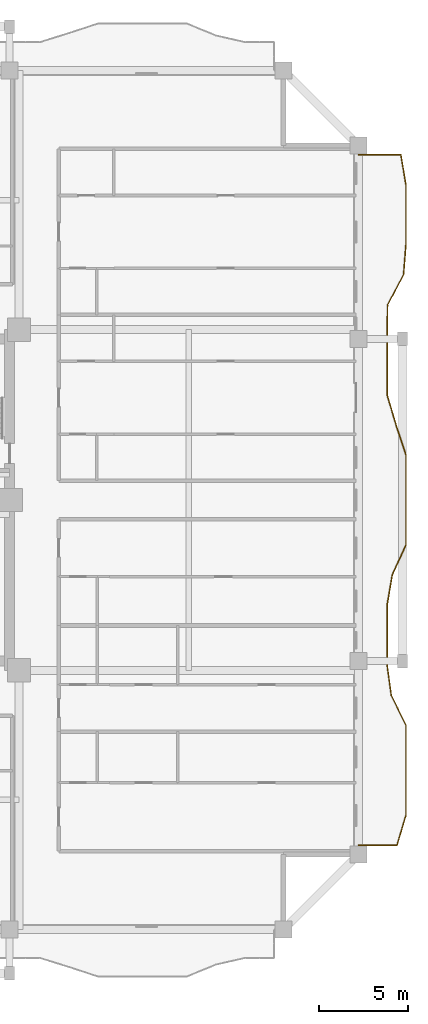
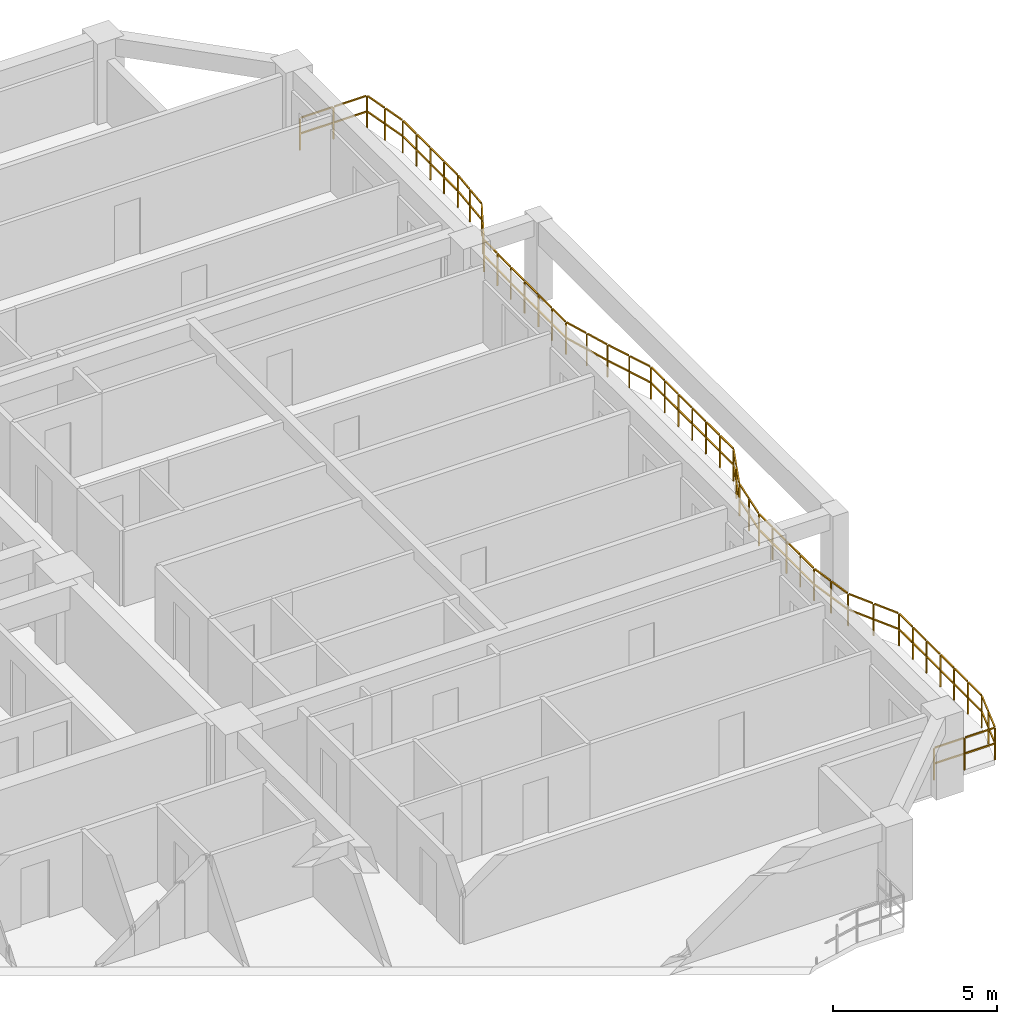
# One storey, part 13 of 14: 1 railing.
"""IFC4 building model written with IfcOpenShell, lengths in metres."""

from ifc_helpers import new_model, si_unit, direction, frame, origin, origin_2d, place, context, subcontext, project, spatial, rectangle, extrude, material, type_object, element, save


model = new_model("IFC4")

# Units and contexts
model_context = context("Model", 3, precision=1e-05, world=origin(), true_north=direction((0.0, 1.0)))
body_context = subcontext(model_context, "Body", "Model", "MODEL_VIEW")
ifc_project = project(units=[si_unit("LENGTHUNIT", "METRE"), si_unit("AREAUNIT", "SQUARE_METRE"), si_unit("VOLUMEUNIT", "CUBIC_METRE"), si_unit("PLANEANGLEUNIT", "RADIAN"), si_unit("MASSUNIT", "GRAM", prefix="KILO")], contexts=[model_context])

# Site, building, storey
site_placement = place(None, origin())
site = spatial("IfcSite", under=ifc_project, at=site_placement, CompositionType="ELEMENT")
building_placement = place(site_placement, origin())
building = spatial("IfcBuilding", under=site, at=building_placement, Name="Saelheon Loggia Tower", CompositionType="ELEMENT")
storey_placement = place(building_placement, frame((0.0, 0.0, 113.85009765625)))
storey = spatial("IfcBuildingStorey", under=building, at=storey_placement, Name="L36", CompositionType="ELEMENT", Elevation=113.85009765625)

# Railing
ifc_material = material(Name="Architectural Precast Concrete and Laminated Glass Guard", Category="concrete")
railing_type = type_object("IfcRailingType", Name="Guard_Loggia_RL_LOG", PredefinedType="BALUSTRADE", material=ifc_material)
railing_placement = place(storey_placement, frame((64.0, 7.699951171875, 0.0)))
element("IfcRailing", 1, at=railing_placement, inside=storey, type_object=railing_type, Name="L36 East Loggia Balustrade", PredefinedType="BALUSTRADE", context=body_context, shape_type="SweptSolid", body=[
    extrude(rectangle(XDim=0.048095703125, YDim=0.048095703125, at=origin_2d()), frame((0.033203125, 0.0, 1.19580078125), z_axis=(1.0, 0.0, 0.0), x_axis=(0.0, 1.0, 0.0)), (0.0, 0.0, 1.0), 1.008544921875),
    extrude(rectangle(XDim=0.048095703125, YDim=0.048095703125, at=origin_2d()), frame((0.033203125, 0.0, 0.60986328125), z_axis=(1.0, 0.0, 0.0), x_axis=(0.0, 1.0, 0.0)), (0.0, 0.0, 1.0), 1.008544921875),
    extrude(rectangle(XDim=0.048095703125, YDim=0.048095703125, at=origin_2d()), frame((1.108154296875, 0.0, 1.19580078125), z_axis=(1.0, 0.0, 0.0), x_axis=(0.0, 1.0, 0.0)), (0.0, 0.0, 1.0), 1.008544921875),
    extrude(rectangle(XDim=0.048095703125, YDim=0.048095703125, at=origin_2d()), frame((1.108154296875, 0.0, 0.60986328125), z_axis=(1.0, 0.0, 0.0), x_axis=(0.0, 1.0, 0.0)), (0.0, 0.0, 1.0), 1.008544921875),
    extrude(rectangle(XDim=0.048095703125, YDim=0.048095703125, at=origin_2d()), frame((2.159423828125, 0.03173828125, 1.19580078125), z_axis=(0.285492932105, 0.958380814561, 0.0), x_axis=(-0.958380814561, 0.285492932105, 0.0)), (0.0, 0.0, 1.0), 0.809326171875),
    extrude(rectangle(XDim=0.048095703125, YDim=0.048095703125, at=origin_2d()), frame((2.159423828125, 0.03173828125, 0.60986328125), z_axis=(0.285492932105, 0.958380814561, 0.0), x_axis=(-0.958380814561, 0.285492932105, 0.0)), (0.0, 0.0, 1.0), 0.809326171875),
    extrude(rectangle(XDim=0.048095703125, YDim=0.048095703125, at=origin_2d()), frame((2.409423828125, 0.87109375, 1.19580078125), z_axis=(0.285492932105, 0.958380814561, 0.0), x_axis=(-0.958380814561, 0.285492932105, 0.0)), (0.0, 0.0, 1.0), 0.809326171875),
    extrude(rectangle(XDim=0.048095703125, YDim=0.048095703125, at=origin_2d()), frame((2.409423828125, 0.87109375, 0.60986328125), z_axis=(0.285492932105, 0.958380814561, 0.0), x_axis=(-0.958380814561, 0.285492932105, 0.0)), (0.0, 0.0, 1.0), 0.809326171875),
    extrude(rectangle(XDim=0.048095703125, YDim=0.048095703125, at=origin_2d()), frame((2.64990234375, 1.711669921875, 1.19580078125), z_axis=(0.0, 1.0, 0.0), x_axis=(-1.0, 0.0, 0.0)), (0.0, 0.0, 1.0), 0.7724609375),
    extrude(rectangle(XDim=0.048095703125, YDim=0.048095703125, at=origin_2d()), frame((2.64990234375, 1.711669921875, 0.60986328125), z_axis=(0.0, 1.0, 0.0), x_axis=(-1.0, 0.0, 0.0)), (0.0, 0.0, 1.0), 0.7724609375),
    extrude(rectangle(XDim=0.048095703125, YDim=0.048095703125, at=origin_2d()), frame((2.64990234375, 2.55078125, 1.19580078125), z_axis=(0.0, 1.0, 0.0), x_axis=(-1.0, 0.0, 0.0)), (0.0, 0.0, 1.0), 0.7724609375),
    extrude(rectangle(XDim=0.048095703125, YDim=0.048095703125, at=origin_2d()), frame((2.64990234375, 2.55078125, 0.60986328125), z_axis=(0.0, 1.0, 0.0), x_axis=(-1.0, 0.0, 0.0)), (0.0, 0.0, 1.0), 0.7724609375),
    extrude(rectangle(XDim=0.048095703125, YDim=0.048095703125, at=origin_2d()), frame((2.64990234375, 3.3896484375, 1.19580078125), z_axis=(0.0, 1.0, 0.0), x_axis=(-1.0, 0.0, 0.0)), (0.0, 0.0, 1.0), 0.772705078125),
    extrude(rectangle(XDim=0.048095703125, YDim=0.048095703125, at=origin_2d()), frame((2.64990234375, 3.3896484375, 0.60986328125), z_axis=(0.0, 1.0, 0.0), x_axis=(-1.0, 0.0, 0.0)), (0.0, 0.0, 1.0), 0.772705078125),
    extrude(rectangle(XDim=0.048095703125, YDim=0.048095703125, at=origin_2d()), frame((2.64990234375, 4.22900390625, 1.19580078125), z_axis=(0.0, 1.0, 0.0), x_axis=(-1.0, 0.0, 0.0)), (0.0, 0.0, 1.0), 0.772705078125),
    extrude(rectangle(XDim=0.048095703125, YDim=0.048095703125, at=origin_2d()), frame((2.64990234375, 4.22900390625, 0.60986328125), z_axis=(0.0, 1.0, 0.0), x_axis=(-1.0, 0.0, 0.0)), (0.0, 0.0, 1.0), 0.772705078125),
    extrude(rectangle(XDim=0.048095703125, YDim=0.048095703125, at=origin_2d()), frame((2.64990234375, 5.068115234375, 1.19580078125), z_axis=(0.0, 1.0, 0.0), x_axis=(-1.0, 0.0, 0.0)), (0.0, 0.0, 1.0), 0.772705078125),
    extrude(rectangle(XDim=0.048095703125, YDim=0.048095703125, at=origin_2d()), frame((2.64990234375, 5.068115234375, 0.60986328125), z_axis=(0.0, 1.0, 0.0), x_axis=(-1.0, 0.0, 0.0)), (0.0, 0.0, 1.0), 0.772705078125),
    extrude(rectangle(XDim=0.048095703125, YDim=0.048095703125, at=origin_2d()), frame((2.64990234375, 5.9072265625, 1.19580078125), z_axis=(0.0, 1.0, 0.0), x_axis=(-1.0, 0.0, 0.0)), (0.0, 0.0, 1.0), 0.772705078125),
    extrude(rectangle(XDim=0.048095703125, YDim=0.048095703125, at=origin_2d()), frame((2.64990234375, 5.9072265625, 0.60986328125), z_axis=(0.0, 1.0, 0.0), x_axis=(-1.0, 0.0, 0.0)), (0.0, 0.0, 1.0), 0.772705078125),
    extrude(rectangle(XDim=0.048095703125, YDim=0.048095703125, at=origin_2d()), frame((2.63525390625, 6.742919921875, 1.19580078125), z_axis=(-0.438299970377, 0.898828757867, 0.0), x_axis=(-0.898828757867, -0.438299970377, 0.0)), (0.0, 0.0, 1.0), 0.8671875),
    extrude(rectangle(XDim=0.048095703125, YDim=0.048095703125, at=origin_2d()), frame((2.63525390625, 6.742919921875, 0.60986328125), z_axis=(-0.438299970377, 0.898828757867, 0.0), x_axis=(-0.898828757867, -0.438299970377, 0.0)), (0.0, 0.0, 1.0), 0.8671875),
    extrude(rectangle(XDim=0.048095703125, YDim=0.048095703125, at=origin_2d()), frame((2.22607421875, 7.58203125, 1.19580078125), z_axis=(-0.438299970377, 0.898828757867, 0.0), x_axis=(-0.898828757867, -0.438299970377, 0.0)), (0.0, 0.0, 1.0), 0.8671875),
    extrude(rectangle(XDim=0.048095703125, YDim=0.048095703125, at=origin_2d()), frame((2.22607421875, 7.58203125, 0.60986328125), z_axis=(-0.438299970377, 0.898828757867, 0.0), x_axis=(-0.898828757867, -0.438299970377, 0.0)), (0.0, 0.0, 1.0), 0.8671875),
    extrude(rectangle(XDim=0.048095703125, YDim=0.048095703125, at=origin_2d()), frame((1.826904296875, 8.42431640625, 1.19580078125), z_axis=(-0.136617890743, 0.990623819585, 0.0), x_axis=(-0.990623819585, -0.136617890743, 0.0)), (0.0, 0.0, 1.0), 0.780517578125),
    extrude(rectangle(XDim=0.048095703125, YDim=0.048095703125, at=origin_2d()), frame((1.826904296875, 8.42431640625, 0.60986328125), z_axis=(-0.136617890743, 0.990623819585, 0.0), x_axis=(-0.990623819585, -0.136617890743, 0.0)), (0.0, 0.0, 1.0), 0.780517578125),
    extrude(rectangle(XDim=0.048095703125, YDim=0.048095703125, at=origin_2d()), frame((1.711181640625, 9.263427734375, 1.19580078125), z_axis=(-0.136617890743, 0.990623819585, 0.0), x_axis=(-0.990623819585, -0.136617890743, 0.0)), (0.0, 0.0, 1.0), 0.780517578125),
    extrude(rectangle(XDim=0.048095703125, YDim=0.048095703125, at=origin_2d()), frame((1.711181640625, 9.263427734375, 0.60986328125), z_axis=(-0.136617890743, 0.990623819585, 0.0), x_axis=(-0.990623819585, -0.136617890743, 0.0)), (0.0, 0.0, 1.0), 0.780517578125),
    extrude(rectangle(XDim=0.048095703125, YDim=0.048095703125, at=origin_2d()), frame((1.60009765625, 10.102783203125, 1.19580078125), z_axis=(0.0, 1.0, 0.0), x_axis=(-1.0, 0.0, 0.0)), (0.0, 0.0, 1.0), 0.772705078125),
    extrude(rectangle(XDim=0.048095703125, YDim=0.048095703125, at=origin_2d()), frame((1.60009765625, 10.102783203125, 0.60986328125), z_axis=(0.0, 1.0, 0.0), x_axis=(-1.0, 0.0, 0.0)), (0.0, 0.0, 1.0), 0.772705078125),
    extrude(rectangle(XDim=0.048095703125, YDim=0.048095703125, at=origin_2d()), frame((1.60009765625, 10.94189453125, 1.19580078125), z_axis=(0.0, 1.0, 0.0), x_axis=(-1.0, 0.0, 0.0)), (0.0, 0.0, 1.0), 0.772705078125),
    extrude(rectangle(XDim=0.048095703125, YDim=0.048095703125, at=origin_2d()), frame((1.60009765625, 10.94189453125, 0.60986328125), z_axis=(0.0, 1.0, 0.0), x_axis=(-1.0, 0.0, 0.0)), (0.0, 0.0, 1.0), 0.772705078125),
    extrude(rectangle(XDim=0.048095703125, YDim=0.048095703125, at=origin_2d()), frame((1.60009765625, 11.781005859375, 1.19580078125), z_axis=(0.0, 1.0, 0.0), x_axis=(-1.0, 0.0, 0.0)), (0.0, 0.0, 1.0), 0.772705078125),
    extrude(rectangle(XDim=0.048095703125, YDim=0.048095703125, at=origin_2d()), frame((1.60009765625, 11.781005859375, 0.60986328125), z_axis=(0.0, 1.0, 0.0), x_axis=(-1.0, 0.0, 0.0)), (0.0, 0.0, 1.0), 0.772705078125),
    extrude(rectangle(XDim=0.048095703125, YDim=0.048095703125, at=origin_2d()), frame((1.60009765625, 12.620361328125, 1.19580078125), z_axis=(0.0, 1.0, 0.0), x_axis=(-1.0, 0.0, 0.0)), (0.0, 0.0, 1.0), 0.772705078125),
    extrude(rectangle(XDim=0.048095703125, YDim=0.048095703125, at=origin_2d()), frame((1.60009765625, 12.620361328125, 0.60986328125), z_axis=(0.0, 1.0, 0.0), x_axis=(-1.0, 0.0, 0.0)), (0.0, 0.0, 1.0), 0.772705078125),
    extrude(rectangle(XDim=0.048095703125, YDim=0.048095703125, at=origin_2d()), frame((1.605712890625, 13.458984375, 1.19580078125), z_axis=(0.165864644071, 0.986148528289, 0.0), x_axis=(-0.986148528289, 0.165864644071, 0.0)), (0.0, 0.0, 1.0), 0.784423828125),
    extrude(rectangle(XDim=0.048095703125, YDim=0.048095703125, at=origin_2d()), frame((1.605712890625, 13.458984375, 0.60986328125), z_axis=(0.165864644071, 0.986148528289, 0.0), x_axis=(-0.986148528289, 0.165864644071, 0.0)), (0.0, 0.0, 1.0), 0.784423828125),
    extrude(rectangle(XDim=0.048095703125, YDim=0.048095703125, at=origin_2d()), frame((1.746826171875, 14.298095703125, 1.19580078125), z_axis=(0.165864644071, 0.986148528289, 0.0), x_axis=(-0.986148528289, 0.165864644071, 0.0)), (0.0, 0.0, 1.0), 0.784423828125),
    extrude(rectangle(XDim=0.048095703125, YDim=0.048095703125, at=origin_2d()), frame((1.746826171875, 14.298095703125, 0.60986328125), z_axis=(0.165864644071, 0.986148528289, 0.0), x_axis=(-0.986148528289, 0.165864644071, 0.0)), (0.0, 0.0, 1.0), 0.784423828125),
    extrude(rectangle(XDim=0.048095703125, YDim=0.048095703125, at=origin_2d()), frame((1.896240234375, 15.134521484375, 1.19580078125), z_axis=(0.41588480052, 0.909417303935, 0.0), x_axis=(-0.909417303935, 0.41588480052, 0.0)), (0.0, 0.0, 1.0), 0.8564453125),
    extrude(rectangle(XDim=0.048095703125, YDim=0.048095703125, at=origin_2d()), frame((1.896240234375, 15.134521484375, 0.60986328125), z_axis=(0.41588480052, 0.909417303935, 0.0), x_axis=(-0.909417303935, 0.41588480052, 0.0)), (0.0, 0.0, 1.0), 0.8564453125),
    extrude(rectangle(XDim=0.048095703125, YDim=0.048095703125, at=origin_2d()), frame((2.280029296875, 15.9736328125, 1.19580078125), z_axis=(0.41588480052, 0.909417303935, 0.0), x_axis=(-0.909417303935, 0.41588480052, 0.0)), (0.0, 0.0, 1.0), 0.8564453125),
    extrude(rectangle(XDim=0.048095703125, YDim=0.048095703125, at=origin_2d()), frame((2.280029296875, 15.9736328125, 0.60986328125), z_axis=(0.41588480052, 0.909417303935, 0.0), x_axis=(-0.909417303935, 0.41588480052, 0.0)), (0.0, 0.0, 1.0), 0.8564453125),
    extrude(rectangle(XDim=0.048095703125, YDim=0.048095703125, at=origin_2d()), frame((2.64990234375, 16.81591796875, 1.19580078125), z_axis=(0.0, 1.0, 0.0), x_axis=(-1.0, 0.0, 0.0)), (0.0, 0.0, 1.0), 0.772705078125),
    extrude(rectangle(XDim=0.048095703125, YDim=0.048095703125, at=origin_2d()), frame((2.64990234375, 16.81591796875, 0.60986328125), z_axis=(0.0, 1.0, 0.0), x_axis=(-1.0, 0.0, 0.0)), (0.0, 0.0, 1.0), 0.772705078125),
    extrude(rectangle(XDim=0.048095703125, YDim=0.048095703125, at=origin_2d()), frame((2.64990234375, 17.655029296875, 1.19580078125), z_axis=(0.0, 1.0, 0.0), x_axis=(-1.0, 0.0, 0.0)), (0.0, 0.0, 1.0), 0.772705078125),
    extrude(rectangle(XDim=0.048095703125, YDim=0.048095703125, at=origin_2d()), frame((2.64990234375, 17.655029296875, 0.60986328125), z_axis=(0.0, 1.0, 0.0), x_axis=(-1.0, 0.0, 0.0)), (0.0, 0.0, 1.0), 0.772705078125),
    extrude(rectangle(XDim=0.048095703125, YDim=0.048095703125, at=origin_2d()), frame((2.64990234375, 18.494140625, 1.19580078125), z_axis=(0.0, 1.0, 0.0), x_axis=(-1.0, 0.0, 0.0)), (0.0, 0.0, 1.0), 0.772705078125),
    extrude(rectangle(XDim=0.048095703125, YDim=0.048095703125, at=origin_2d()), frame((2.64990234375, 18.494140625, 0.60986328125), z_axis=(0.0, 1.0, 0.0), x_axis=(-1.0, 0.0, 0.0)), (0.0, 0.0, 1.0), 0.772705078125),
    extrude(rectangle(XDim=0.048095703125, YDim=0.048095703125, at=origin_2d()), frame((2.64990234375, 19.333251953125, 1.19580078125), z_axis=(0.0, 1.0, 0.0), x_axis=(-1.0, 0.0, 0.0)), (0.0, 0.0, 1.0), 0.772705078125),
    extrude(rectangle(XDim=0.048095703125, YDim=0.048095703125, at=origin_2d()), frame((2.64990234375, 19.333251953125, 0.60986328125), z_axis=(0.0, 1.0, 0.0), x_axis=(-1.0, 0.0, 0.0)), (0.0, 0.0, 1.0), 0.772705078125),
    extrude(rectangle(XDim=0.048095703125, YDim=0.048095703125, at=origin_2d()), frame((2.64990234375, 20.17236328125, 1.19580078125), z_axis=(0.0, 1.0, 0.0), x_axis=(-1.0, 0.0, 0.0)), (0.0, 0.0, 1.0), 0.772705078125),
    extrude(rectangle(XDim=0.048095703125, YDim=0.048095703125, at=origin_2d()), frame((2.64990234375, 20.17236328125, 0.60986328125), z_axis=(0.0, 1.0, 0.0), x_axis=(-1.0, 0.0, 0.0)), (0.0, 0.0, 1.0), 0.772705078125),
    extrude(rectangle(XDim=0.048095703125, YDim=0.048095703125, at=origin_2d()), frame((2.64990234375, 21.011474609375, 1.19580078125), z_axis=(0.0, 1.0, 0.0), x_axis=(-1.0, 0.0, 0.0)), (0.0, 0.0, 1.0), 0.772705078125),
    extrude(rectangle(XDim=0.048095703125, YDim=0.048095703125, at=origin_2d()), frame((2.64990234375, 21.011474609375, 0.60986328125), z_axis=(0.0, 1.0, 0.0), x_axis=(-1.0, 0.0, 0.0)), (0.0, 0.0, 1.0), 0.772705078125),
    extrude(rectangle(XDim=0.048095703125, YDim=0.048095703125, at=origin_2d()), frame((2.639404296875, 21.848876953125, 1.19580078125), z_axis=(-0.312411606213, 0.949946834461, 0.0), x_axis=(-0.949946834461, -0.312411606213, 0.0)), (0.0, 0.0, 1.0), 0.81689453125),
    extrude(rectangle(XDim=0.048095703125, YDim=0.048095703125, at=origin_2d()), frame((2.639404296875, 21.848876953125, 0.60986328125), z_axis=(-0.312411606213, 0.949946834461, 0.0), x_axis=(-0.949946834461, -0.312411606213, 0.0)), (0.0, 0.0, 1.0), 0.81689453125),
    extrude(rectangle(XDim=0.048095703125, YDim=0.048095703125, at=origin_2d()), frame((2.363525390625, 22.688232421875, 1.19580078125), z_axis=(-0.312411606213, 0.949946834461, 0.0), x_axis=(-0.949946834461, -0.312411606213, 0.0)), (0.0, 0.0, 1.0), 0.81689453125),
    extrude(rectangle(XDim=0.048095703125, YDim=0.048095703125, at=origin_2d()), frame((2.363525390625, 22.688232421875, 0.60986328125), z_axis=(-0.312411606213, 0.949946834461, 0.0), x_axis=(-0.949946834461, -0.312411606213, 0.0)), (0.0, 0.0, 1.0), 0.81689453125),
    extrude(rectangle(XDim=0.048095703125, YDim=0.048095703125, at=origin_2d()), frame((2.08837890625, 23.52783203125, 1.19580078125), z_axis=(-0.284416013132, 0.958700960401, 0.0), x_axis=(-0.958700960401, -0.284416013132, 0.0)), (0.0, 0.0, 1.0), 0.80859375),
    extrude(rectangle(XDim=0.048095703125, YDim=0.048095703125, at=origin_2d()), frame((2.08837890625, 23.52783203125, 0.60986328125), z_axis=(-0.284416013132, 0.958700960401, 0.0), x_axis=(-0.958700960401, -0.284416013132, 0.0)), (0.0, 0.0, 1.0), 0.80859375),
    extrude(rectangle(XDim=0.048095703125, YDim=0.048095703125, at=origin_2d()), frame((1.839599609375, 24.36669921875, 1.19580078125), z_axis=(-0.284416013132, 0.958700960401, 0.0), x_axis=(-0.958700960401, -0.284416013132, 0.0)), (0.0, 0.0, 1.0), 0.80859375),
    extrude(rectangle(XDim=0.048095703125, YDim=0.048095703125, at=origin_2d()), frame((1.839599609375, 24.36669921875, 0.60986328125), z_axis=(-0.284416013132, 0.958700960401, 0.0), x_axis=(-0.958700960401, -0.284416013132, 0.0)), (0.0, 0.0, 1.0), 0.80859375),
    extrude(rectangle(XDim=0.048095703125, YDim=0.048095703125, at=origin_2d()), frame((1.60009765625, 25.20703125, 1.19580078125), z_axis=(0.0, 1.0, 0.0), x_axis=(-1.0, 0.0, 0.0)), (0.0, 0.0, 1.0), 0.772705078125),
    extrude(rectangle(XDim=0.048095703125, YDim=0.048095703125, at=origin_2d()), frame((1.60009765625, 25.20703125, 0.60986328125), z_axis=(0.0, 1.0, 0.0), x_axis=(-1.0, 0.0, 0.0)), (0.0, 0.0, 1.0), 0.772705078125),
    extrude(rectangle(XDim=0.048095703125, YDim=0.048095703125, at=origin_2d()), frame((1.60009765625, 26.04638671875, 1.19580078125), z_axis=(0.0, 1.0, 0.0), x_axis=(-1.0, 0.0, 0.0)), (0.0, 0.0, 1.0), 0.772705078125),
    extrude(rectangle(XDim=0.048095703125, YDim=0.048095703125, at=origin_2d()), frame((1.60009765625, 26.04638671875, 0.60986328125), z_axis=(0.0, 1.0, 0.0), x_axis=(-1.0, 0.0, 0.0)), (0.0, 0.0, 1.0), 0.772705078125),
    extrude(rectangle(XDim=0.048095703125, YDim=0.048095703125, at=origin_2d()), frame((1.60009765625, 26.885498046875, 1.19580078125), z_axis=(0.0, 1.0, 0.0), x_axis=(-1.0, 0.0, 0.0)), (0.0, 0.0, 1.0), 0.772705078125),
    extrude(rectangle(XDim=0.048095703125, YDim=0.048095703125, at=origin_2d()), frame((1.60009765625, 26.885498046875, 0.60986328125), z_axis=(0.0, 1.0, 0.0), x_axis=(-1.0, 0.0, 0.0)), (0.0, 0.0, 1.0), 0.772705078125),
    extrude(rectangle(XDim=0.048095703125, YDim=0.048095703125, at=origin_2d()), frame((1.60009765625, 27.724609375, 1.19580078125), z_axis=(0.0, 1.0, 0.0), x_axis=(-1.0, 0.0, 0.0)), (0.0, 0.0, 1.0), 0.772705078125),
    extrude(rectangle(XDim=0.048095703125, YDim=0.048095703125, at=origin_2d()), frame((1.60009765625, 27.724609375, 0.60986328125), z_axis=(0.0, 1.0, 0.0), x_axis=(-1.0, 0.0, 0.0)), (0.0, 0.0, 1.0), 0.772705078125),
    extrude(rectangle(XDim=0.048095703125, YDim=0.048095703125, at=origin_2d()), frame((1.6005859375, 28.563720703125, 1.19580078125), z_axis=(0.014982315851, 0.999887758807, 0.0), x_axis=(-0.999887758807, 0.014982315851, 0.0)), (0.0, 0.0, 1.0), 0.772705078125),
    extrude(rectangle(XDim=0.048095703125, YDim=0.048095703125, at=origin_2d()), frame((1.6005859375, 28.563720703125, 0.60986328125), z_axis=(0.014982315851, 0.999887758807, 0.0), x_axis=(-0.999887758807, 0.014982315851, 0.0)), (0.0, 0.0, 1.0), 0.772705078125),
    extrude(rectangle(XDim=0.048095703125, YDim=0.048095703125, at=origin_2d()), frame((1.61328125, 29.40283203125, 1.19580078125), z_axis=(0.014982315851, 0.999887758807, 0.0), x_axis=(-0.999887758807, 0.014982315851, 0.0)), (0.0, 0.0, 1.0), 0.772705078125),
    extrude(rectangle(XDim=0.048095703125, YDim=0.048095703125, at=origin_2d()), frame((1.61328125, 29.40283203125, 0.60986328125), z_axis=(0.014982315851, 0.999887758807, 0.0), x_axis=(-0.999887758807, 0.014982315851, 0.0)), (0.0, 0.0, 1.0), 0.772705078125),
    extrude(rectangle(XDim=0.048095703125, YDim=0.048095703125, at=origin_2d()), frame((1.640869140625, 30.238037109375, 1.19580078125), z_axis=(0.469974960168, 0.882679747595, 0.0), x_axis=(-0.882679747595, 0.469974960168, 0.0)), (0.0, 0.0, 1.0), 0.88427734375),
    extrude(rectangle(XDim=0.048095703125, YDim=0.048095703125, at=origin_2d()), frame((1.640869140625, 30.238037109375, 0.60986328125), z_axis=(0.469974960168, 0.882679747595, 0.0), x_axis=(-0.882679747595, 0.469974960168, 0.0)), (0.0, 0.0, 1.0), 0.88427734375),
    extrude(rectangle(XDim=0.048095703125, YDim=0.048095703125, at=origin_2d()), frame((2.087646484375, 31.0771484375, 1.19580078125), z_axis=(0.469974960168, 0.882679747595, 0.0), x_axis=(-0.882679747595, 0.469974960168, 0.0)), (0.0, 0.0, 1.0), 0.88427734375),
    extrude(rectangle(XDim=0.048095703125, YDim=0.048095703125, at=origin_2d()), frame((2.087646484375, 31.0771484375, 0.60986328125), z_axis=(0.469974960168, 0.882679747595, 0.0), x_axis=(-0.882679747595, 0.469974960168, 0.0)), (0.0, 0.0, 1.0), 0.88427734375),
    extrude(rectangle(XDim=0.048095703125, YDim=0.048095703125, at=origin_2d()), frame((2.521484375, 31.920166015625, 1.19580078125), z_axis=(0.07788316248, 0.996962493277, 0.0), x_axis=(-0.996962493277, 0.07788316248, 0.0)), (0.0, 0.0, 1.0), 0.775146484375),
    extrude(rectangle(XDim=0.048095703125, YDim=0.048095703125, at=origin_2d()), frame((2.521484375, 31.920166015625, 0.60986328125), z_axis=(0.07788316248, 0.996962493277, 0.0), x_axis=(-0.996962493277, 0.07788316248, 0.0)), (0.0, 0.0, 1.0), 0.775146484375),
    extrude(rectangle(XDim=0.048095703125, YDim=0.048095703125, at=origin_2d()), frame((2.5869140625, 32.75927734375, 1.19580078125), z_axis=(0.07788316248, 0.996962493277, 0.0), x_axis=(-0.996962493277, 0.07788316248, 0.0)), (0.0, 0.0, 1.0), 0.775146484375),
    extrude(rectangle(XDim=0.048095703125, YDim=0.048095703125, at=origin_2d()), frame((2.5869140625, 32.75927734375, 0.60986328125), z_axis=(0.07788316248, 0.996962493277, 0.0), x_axis=(-0.996962493277, 0.07788316248, 0.0)), (0.0, 0.0, 1.0), 0.775146484375),
    extrude(rectangle(XDim=0.048095703125, YDim=0.048095703125, at=origin_2d()), frame((2.64990234375, 33.598388671875, 1.19580078125), z_axis=(0.0, 1.0, 0.0), x_axis=(-1.0, 0.0, 0.0)), (0.0, 0.0, 1.0), 0.772705078125),
    extrude(rectangle(XDim=0.048095703125, YDim=0.048095703125, at=origin_2d()), frame((2.64990234375, 33.598388671875, 0.60986328125), z_axis=(0.0, 1.0, 0.0), x_axis=(-1.0, 0.0, 0.0)), (0.0, 0.0, 1.0), 0.772705078125),
    extrude(rectangle(XDim=0.048095703125, YDim=0.048095703125, at=origin_2d()), frame((2.64990234375, 34.437744140625, 1.19580078125), z_axis=(0.0, 1.0, 0.0), x_axis=(-1.0, 0.0, 0.0)), (0.0, 0.0, 1.0), 0.772705078125),
    extrude(rectangle(XDim=0.048095703125, YDim=0.048095703125, at=origin_2d()), frame((2.64990234375, 34.437744140625, 0.60986328125), z_axis=(0.0, 1.0, 0.0), x_axis=(-1.0, 0.0, 0.0)), (0.0, 0.0, 1.0), 0.772705078125),
    extrude(rectangle(XDim=0.048095703125, YDim=0.048095703125, at=origin_2d()), frame((2.64990234375, 35.27685546875, 1.19580078125), z_axis=(0.0, 1.0, 0.0), x_axis=(-1.0, 0.0, 0.0)), (0.0, 0.0, 1.0), 0.7724609375),
    extrude(rectangle(XDim=0.048095703125, YDim=0.048095703125, at=origin_2d()), frame((2.64990234375, 35.27685546875, 0.60986328125), z_axis=(0.0, 1.0, 0.0), x_axis=(-1.0, 0.0, 0.0)), (0.0, 0.0, 1.0), 0.7724609375),
    extrude(rectangle(XDim=0.048095703125, YDim=0.048095703125, at=origin_2d()), frame((2.64990234375, 36.115966796875, 1.19580078125), z_axis=(0.0, 1.0, 0.0), x_axis=(-1.0, 0.0, 0.0)), (0.0, 0.0, 1.0), 0.7724609375),
    extrude(rectangle(XDim=0.048095703125, YDim=0.048095703125, at=origin_2d()), frame((2.64990234375, 36.115966796875, 0.60986328125), z_axis=(0.0, 1.0, 0.0), x_axis=(-1.0, 0.0, 0.0)), (0.0, 0.0, 1.0), 0.7724609375),
    extrude(rectangle(XDim=0.048095703125, YDim=0.048095703125, at=origin_2d()), frame((2.644287109375, 36.954345703125, 1.19580078125), z_axis=(-0.166375627522, 0.9860624476, 0.0), x_axis=(-0.9860624476, -0.166375627522, 0.0)), (0.0, 0.0, 1.0), 0.78466796875),
    extrude(rectangle(XDim=0.048095703125, YDim=0.048095703125, at=origin_2d()), frame((2.644287109375, 36.954345703125, 0.60986328125), z_axis=(-0.166375627522, 0.9860624476, 0.0), x_axis=(-0.9860624476, -0.166375627522, 0.0)), (0.0, 0.0, 1.0), 0.78466796875),
    extrude(rectangle(XDim=0.048095703125, YDim=0.048095703125, at=origin_2d()), frame((2.502685546875, 37.793701171875, 1.19580078125), z_axis=(-0.166375627522, 0.9860624476, 0.0), x_axis=(-0.9860624476, -0.166375627522, 0.0)), (0.0, 0.0, 1.0), 0.78466796875),
    extrude(rectangle(XDim=0.048095703125, YDim=0.048095703125, at=origin_2d()), frame((2.502685546875, 37.793701171875, 0.60986328125), z_axis=(-0.166375627522, 0.9860624476, 0.0), x_axis=(-0.9860624476, -0.166375627522, 0.0)), (0.0, 0.0, 1.0), 0.78466796875),
    extrude(rectangle(XDim=0.048095703125, YDim=0.048095703125, at=origin_2d()), frame((2.33349609375, 38.60009765625, 1.19580078125), z_axis=(-1.0, 0.0, 0.0), x_axis=(0.0, -1.0, 0.0)), (0.0, 0.0, 1.0), 1.116943359375),
    extrude(rectangle(XDim=0.048095703125, YDim=0.048095703125, at=origin_2d()), frame((2.33349609375, 38.60009765625, 0.60986328125), z_axis=(-1.0, 0.0, 0.0), x_axis=(0.0, -1.0, 0.0)), (0.0, 0.0, 1.0), 1.116943359375),
    extrude(rectangle(XDim=0.048095703125, YDim=0.048095703125, at=origin_2d()), frame((1.150146484375, 38.60009765625, 1.19580078125), z_axis=(-1.0, 0.0, 0.0), x_axis=(0.0, -1.0, 0.0)), (0.0, 0.0, 1.0), 1.116943359375),
    extrude(rectangle(XDim=0.048095703125, YDim=0.048095703125, at=origin_2d()), frame((1.150146484375, 38.60009765625, 0.60986328125), z_axis=(-1.0, 0.0, 0.0), x_axis=(0.0, -1.0, 0.0)), (0.0, 0.0, 1.0), 1.116943359375),
    extrude(rectangle(XDim=0.0419921875, YDim=0.0419921875, at=origin_2d()), origin(), (0.0, 0.0, 1.0), 1.16796875),
    extrude(rectangle(XDim=0.0419921875, YDim=0.0419921875, at=origin_2d()), frame((1.074951171875, 0.0, 0.0)), (0.0, 0.0, 1.0), 1.16796875),
    extrude(rectangle(XDim=0.0419921875, YDim=0.0419921875, at=origin_2d()), frame((2.14990234375, 0.0, 0.0)), (0.0, 0.0, 1.0), 1.16796875),
    extrude(rectangle(XDim=0.0419921875, YDim=0.0419921875, at=origin_2d()), frame((2.39990234375, 0.83935546875, 0.0)), (0.0, 0.0, 1.0), 1.16796875),
    extrude(rectangle(XDim=0.0419921875, YDim=0.0419921875, at=origin_2d()), frame((2.64990234375, 1.678466796875, 0.0)), (0.0, 0.0, 1.0), 1.16796875),
    extrude(rectangle(XDim=0.0419921875, YDim=0.0419921875, at=origin_2d()), frame((2.64990234375, 2.517578125, 0.0)), (0.0, 0.0, 1.0), 1.16796875),
    extrude(rectangle(XDim=0.0419921875, YDim=0.0419921875, at=origin_2d()), frame((2.64990234375, 3.3564453125, 0.0)), (0.0, 0.0, 1.0), 1.16796875),
    extrude(rectangle(XDim=0.0419921875, YDim=0.0419921875, at=origin_2d()), frame((2.64990234375, 4.19580078125, 0.0)), (0.0, 0.0, 1.0), 1.16796875),
    extrude(rectangle(XDim=0.0419921875, YDim=0.0419921875, at=origin_2d()), frame((2.64990234375, 5.034912109375, 0.0)), (0.0, 0.0, 1.0), 1.16796875),
    extrude(rectangle(XDim=0.0419921875, YDim=0.0419921875, at=origin_2d()), frame((2.64990234375, 5.8740234375, 0.0)), (0.0, 0.0, 1.0), 1.16796875),
    extrude(rectangle(XDim=0.0419921875, YDim=0.0419921875, at=origin_2d()), frame((2.64990234375, 6.713134765625, 0.0)), (0.0, 0.0, 1.0), 1.16796875),
    extrude(rectangle(XDim=0.0419921875, YDim=0.0419921875, at=origin_2d()), frame((2.24072265625, 7.55224609375, 0.0)), (0.0, 0.0, 1.0), 1.16796875),
    extrude(rectangle(XDim=0.0419921875, YDim=0.0419921875, at=origin_2d()), frame((1.83154296875, 8.391357421875, 0.0)), (0.0, 0.0, 1.0), 1.16796875),
    extrude(rectangle(XDim=0.0419921875, YDim=0.0419921875, at=origin_2d()), frame((1.7158203125, 9.23046875, 0.0)), (0.0, 0.0, 1.0), 1.16796875),
    extrude(rectangle(XDim=0.0419921875, YDim=0.0419921875, at=origin_2d()), frame((1.60009765625, 10.069580078125, 0.0)), (0.0, 0.0, 1.0), 1.16796875),
    extrude(rectangle(XDim=0.0419921875, YDim=0.0419921875, at=origin_2d()), frame((1.60009765625, 10.90869140625, 0.0)), (0.0, 0.0, 1.0), 1.16796875),
    extrude(rectangle(XDim=0.0419921875, YDim=0.0419921875, at=origin_2d()), frame((1.60009765625, 11.747802734375, 0.0)), (0.0, 0.0, 1.0), 1.16796875),
    extrude(rectangle(XDim=0.0419921875, YDim=0.0419921875, at=origin_2d()), frame((1.60009765625, 12.5869140625, 0.0)), (0.0, 0.0, 1.0), 1.16796875),
    extrude(rectangle(XDim=0.0419921875, YDim=0.0419921875, at=origin_2d()), frame((1.60009765625, 13.42626953125, 0.0)), (0.0, 0.0, 1.0), 1.16796875),
    extrude(rectangle(XDim=0.0419921875, YDim=0.0419921875, at=origin_2d()), frame((1.7412109375, 14.26513671875, 0.0)), (0.0, 0.0, 1.0), 1.16796875),
    extrude(rectangle(XDim=0.0419921875, YDim=0.0419921875, at=origin_2d()), frame((1.88232421875, 15.104248046875, 0.0)), (0.0, 0.0, 1.0), 1.16796875),
    extrude(rectangle(XDim=0.0419921875, YDim=0.0419921875, at=origin_2d()), frame((2.26611328125, 15.943359375, 0.0)), (0.0, 0.0, 1.0), 1.16796875),
    extrude(rectangle(XDim=0.0419921875, YDim=0.0419921875, at=origin_2d()), frame((2.64990234375, 16.78271484375, 0.0)), (0.0, 0.0, 1.0), 1.16796875),
    extrude(rectangle(XDim=0.0419921875, YDim=0.0419921875, at=origin_2d()), frame((2.64990234375, 17.621826171875, 0.0)), (0.0, 0.0, 1.0), 1.16796875),
    extrude(rectangle(XDim=0.0419921875, YDim=0.0419921875, at=origin_2d()), frame((2.64990234375, 18.4609375, 0.0)), (0.0, 0.0, 1.0), 1.16796875),
    extrude(rectangle(XDim=0.0419921875, YDim=0.0419921875, at=origin_2d()), frame((2.64990234375, 19.300048828125, 0.0)), (0.0, 0.0, 1.0), 1.16796875),
    extrude(rectangle(XDim=0.0419921875, YDim=0.0419921875, at=origin_2d()), frame((2.64990234375, 20.13916015625, 0.0)), (0.0, 0.0, 1.0), 1.16796875),
    extrude(rectangle(XDim=0.0419921875, YDim=0.0419921875, at=origin_2d()), frame((2.64990234375, 20.978271484375, 0.0)), (0.0, 0.0, 1.0), 1.16796875),
    extrude(rectangle(XDim=0.0419921875, YDim=0.0419921875, at=origin_2d()), frame((2.64990234375, 21.8173828125, 0.0)), (0.0, 0.0, 1.0), 1.16796875),
    extrude(rectangle(XDim=0.0419921875, YDim=0.0419921875, at=origin_2d()), frame((2.3740234375, 22.65673828125, 0.0)), (0.0, 0.0, 1.0), 1.16796875),
    extrude(rectangle(XDim=0.0419921875, YDim=0.0419921875, at=origin_2d()), frame((2.097900390625, 23.495849609375, 0.0)), (0.0, 0.0, 1.0), 1.16796875),
    extrude(rectangle(XDim=0.0419921875, YDim=0.0419921875, at=origin_2d()), frame((1.84912109375, 24.3349609375, 0.0)), (0.0, 0.0, 1.0), 1.16796875),
    extrude(rectangle(XDim=0.0419921875, YDim=0.0419921875, at=origin_2d()), frame((1.60009765625, 25.173828125, 0.0)), (0.0, 0.0, 1.0), 1.16796875),
    extrude(rectangle(XDim=0.0419921875, YDim=0.0419921875, at=origin_2d()), frame((1.60009765625, 26.01318359375, 0.0)), (0.0, 0.0, 1.0), 1.16796875),
    extrude(rectangle(XDim=0.0419921875, YDim=0.0419921875, at=origin_2d()), frame((1.60009765625, 26.852294921875, 0.0)), (0.0, 0.0, 1.0), 1.16796875),
    extrude(rectangle(XDim=0.0419921875, YDim=0.0419921875, at=origin_2d()), frame((1.60009765625, 27.69140625, 0.0)), (0.0, 0.0, 1.0), 1.16796875),
    extrude(rectangle(XDim=0.0419921875, YDim=0.0419921875, at=origin_2d()), frame((1.60009765625, 28.530517578125, 0.0)), (0.0, 0.0, 1.0), 1.16796875),
    extrude(rectangle(XDim=0.0419921875, YDim=0.0419921875, at=origin_2d()), frame((1.61279296875, 29.36962890625, 0.0)), (0.0, 0.0, 1.0), 1.16796875),
    extrude(rectangle(XDim=0.0419921875, YDim=0.0419921875, at=origin_2d()), frame((1.625244140625, 30.208740234375, 0.0)), (0.0, 0.0, 1.0), 1.16796875),
    extrude(rectangle(XDim=0.0419921875, YDim=0.0419921875, at=origin_2d()), frame((2.072021484375, 31.0478515625, 0.0)), (0.0, 0.0, 1.0), 1.16796875),
    extrude(rectangle(XDim=0.0419921875, YDim=0.0419921875, at=origin_2d()), frame((2.518798828125, 31.886962890625, 0.0)), (0.0, 0.0, 1.0), 1.16796875),
    extrude(rectangle(XDim=0.0419921875, YDim=0.0419921875, at=origin_2d()), frame((2.58447265625, 32.72607421875, 0.0)), (0.0, 0.0, 1.0), 1.16796875),
    extrude(rectangle(XDim=0.0419921875, YDim=0.0419921875, at=origin_2d()), frame((2.64990234375, 33.565185546875, 0.0)), (0.0, 0.0, 1.0), 1.16796875),
    extrude(rectangle(XDim=0.0419921875, YDim=0.0419921875, at=origin_2d()), frame((2.64990234375, 34.404296875, 0.0)), (0.0, 0.0, 1.0), 1.16796875),
    extrude(rectangle(XDim=0.0419921875, YDim=0.0419921875, at=origin_2d()), frame((2.64990234375, 35.24365234375, 0.0)), (0.0, 0.0, 1.0), 1.16796875),
    extrude(rectangle(XDim=0.0419921875, YDim=0.0419921875, at=origin_2d()), frame((2.64990234375, 36.08251953125, 0.0)), (0.0, 0.0, 1.0), 1.16796875),
    extrude(rectangle(XDim=0.0419921875, YDim=0.0419921875, at=origin_2d()), frame((2.64990234375, 36.921630859375, 0.0)), (0.0, 0.0, 1.0), 1.16796875),
    extrude(rectangle(XDim=0.0419921875, YDim=0.0419921875, at=origin_2d()), frame((2.50830078125, 37.7607421875, 0.0)), (0.0, 0.0, 1.0), 1.16796875),
    extrude(rectangle(XDim=0.0419921875, YDim=0.0419921875, at=origin_2d()), frame((2.36669921875, 38.60009765625, 0.0)), (0.0, 0.0, 1.0), 1.16796875),
    extrude(rectangle(XDim=0.0419921875, YDim=0.0419921875, at=origin_2d()), frame((1.183349609375, 38.60009765625, 0.0)), (0.0, 0.0, 1.0), 1.16796875),
    extrude(rectangle(XDim=0.0419921875, YDim=0.0419921875, at=origin_2d()), frame((0.0, 38.60009765625, 0.0)), (0.0, 0.0, 1.0), 1.16796875),
])

save(model, "model.ifc")
